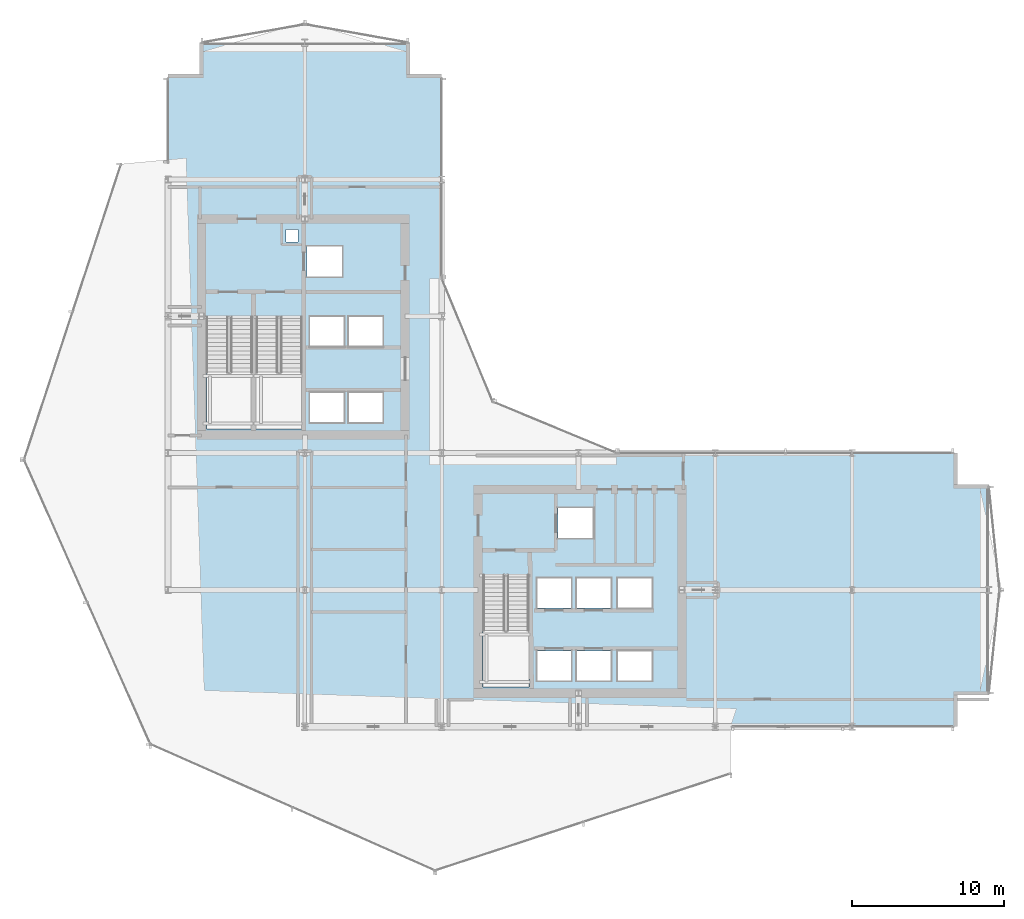
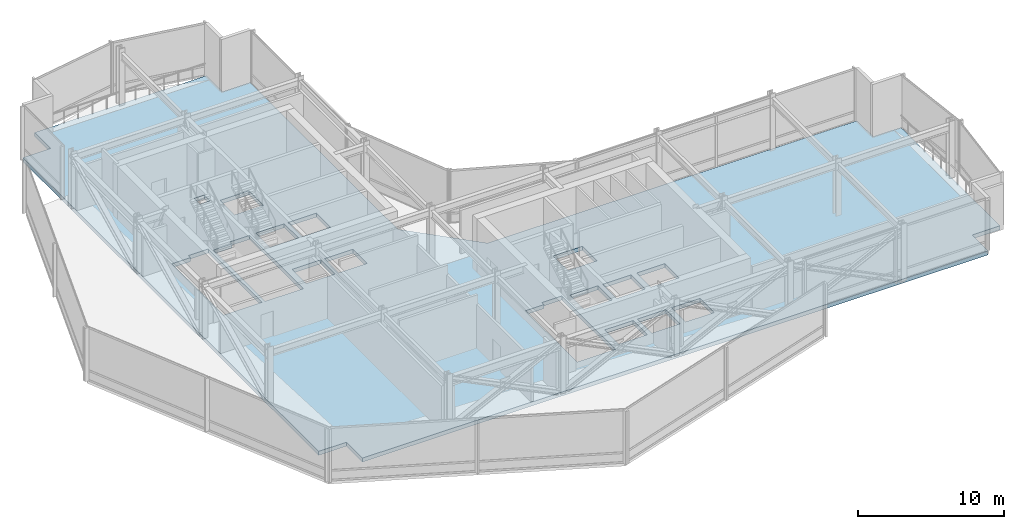
# One storey, part 31 of 42: 1 slab.
"""IFC4 building model written with IfcOpenShell, lengths in metres."""

from ifc_helpers import new_model, si_unit, direction, frame, origin, place, context, subcontext, project, spatial, polyline, outline, extrude, material, layer, layer_set, type_object, element, save


model = new_model("IFC4")

# Units and contexts
model_context = context("Model", 3, precision=1e-05, world=origin(), true_north=direction((0.0, 1.0)))
body_context = subcontext(model_context, "Body", "Model", "MODEL_VIEW")
ifc_project = project(units=[si_unit("LENGTHUNIT", "METRE"), si_unit("AREAUNIT", "SQUARE_METRE"), si_unit("VOLUMEUNIT", "CUBIC_METRE"), si_unit("PLANEANGLEUNIT", "RADIAN"), si_unit("MASSUNIT", "GRAM", prefix="KILO")], contexts=[model_context])

# Site, building, storey
site_placement = place(None, origin())
site = spatial("IfcSite", under=ifc_project, at=site_placement, CompositionType="ELEMENT")
building_placement = place(site_placement, origin())
building = spatial("IfcBuilding", under=site, at=building_placement, Name="Solvaryn Broadcast Tower", CompositionType="ELEMENT")
storey_placement = place(building_placement, frame((0.0, 0.0, 100.199951171875)))
storey = spatial("IfcBuildingStorey", under=building, at=storey_placement, Name="L24", CompositionType="ELEMENT", Elevation=100.199951171875)

# Slab
ifc_material = material(Name="Concrete f'c 60 MPa", Category="concrete")
ifc_layer = layer(ifc_material, 0.330078125)
ifc_layer_set = layer_set([ifc_layer], Name="SL-PLT-330")
slab_type = type_object("IfcSlabType", Name="SL-PLT-330", PredefinedType="FLOOR", material=ifc_layer_set)
slab_placement = place(storey_placement, frame((0.0, 0.0, -0.329833984375)))
element("IfcSlab", 1, at=slab_placement, inside=storey, type_object=slab_type, Name="L24 Structural Floor Slab", PredefinedType="FLOOR", context=body_context, shape_type="SweptSolid", body=[
    extrude(outline(polyline([(11.199951171875, 9.0), (60.800048828125, 9.0), (60.800048828125, 11.199951171875), (63.0, 11.199951171875), (63.0, 24.800048828125), (60.800048828125, 24.800048828125), (60.800048828125, 27.0), (31.5, 27.0), (27.0, 31.5), (27.0, 51.800048828125), (24.800048828125, 51.800048828125), (24.800048828125, 54.0), (11.199951171875, 54.0), (11.199951171875, 51.800048828125), (9.0, 51.800048828125), (9.0, 11.199951171875), (11.199951171875, 11.199951171875), (11.199951171875, 9.0)]), holes=[polyline([(11.52001953125, 28.60009765625), (14.550048828125, 28.60009765625), (14.550048828125, 35.9599609375), (12.97998046875, 35.9599609375), (12.97998046875, 35.679931640625), (11.52001953125, 35.679931640625), (11.52001953125, 28.60009765625)]), polyline([(14.800048828125, 28.60009765625), (17.830078125, 28.60009765625), (17.830078125, 35.9599609375), (16.260009765625, 35.9599609375), (16.260009765625, 35.679931640625), (14.800048828125, 35.679931640625), (14.800048828125, 28.60009765625)]), polyline([(29.719970703125, 11.60009765625), (32.75, 11.60009765625), (32.75, 18.9599609375), (31.179931640625, 18.9599609375), (31.179931640625, 18.679931640625), (29.719970703125, 18.679931640625), (29.719970703125, 11.60009765625)]), polyline([(18.14990234375, 38.60009765625), (20.449951171875, 38.60009765625), (20.449951171875, 40.60009765625), (18.14990234375, 40.60009765625), (18.14990234375, 38.60009765625)]), polyline([(18.324951171875, 29.02490234375), (20.574951171875, 29.02490234375), (20.574951171875, 30.97509765625), (18.324951171875, 30.97509765625), (18.324951171875, 29.02490234375)]), polyline([(20.875, 29.02490234375), (23.125, 29.02490234375), (23.125, 30.97509765625), (20.875, 30.97509765625), (20.875, 29.02490234375)]), polyline([(18.324951171875, 34.02490234375), (20.574951171875, 34.02490234375), (20.574951171875, 35.97509765625), (18.324951171875, 35.97509765625), (18.324951171875, 34.02490234375)]), polyline([(20.875, 34.02490234375), (23.125, 34.02490234375), (23.125, 35.97509765625), (20.875, 35.97509765625), (20.875, 34.02490234375)]), polyline([(34.64990234375, 21.39990234375), (36.949951171875, 21.39990234375), (36.949951171875, 23.39990234375), (34.64990234375, 23.39990234375), (34.64990234375, 21.39990234375)]), polyline([(33.27490234375, 12.02490234375), (35.52490234375, 12.02490234375), (35.52490234375, 13.97509765625), (33.27490234375, 13.97509765625), (33.27490234375, 12.02490234375)]), polyline([(35.875, 12.02490234375), (38.125, 12.02490234375), (38.125, 13.97509765625), (35.875, 13.97509765625), (35.875, 12.02490234375)]), polyline([(33.27490234375, 16.824951171875), (35.52490234375, 16.824951171875), (35.52490234375, 18.77490234375), (33.27490234375, 18.77490234375), (33.27490234375, 16.824951171875)]), polyline([(35.875, 16.824951171875), (38.125, 16.824951171875), (38.125, 18.77490234375), (35.875, 18.77490234375), (35.875, 16.824951171875)]), polyline([(38.574951171875, 12.02490234375), (40.824951171875, 12.02490234375), (40.824951171875, 13.97509765625), (38.574951171875, 13.97509765625), (38.574951171875, 12.02490234375)]), polyline([(38.574951171875, 16.824951171875), (40.824951171875, 16.824951171875), (40.824951171875, 18.77490234375), (38.574951171875, 18.77490234375), (38.574951171875, 16.824951171875)]), polyline([(16.75, 40.89990234375), (17.550048828125, 40.89990234375), (17.550048828125, 41.699951171875), (16.75, 41.699951171875), (16.75, 40.89990234375)])]), origin(), (0.0, 0.0, 1.0), 0.329833984375),
])

save(model, "model.ifc")
